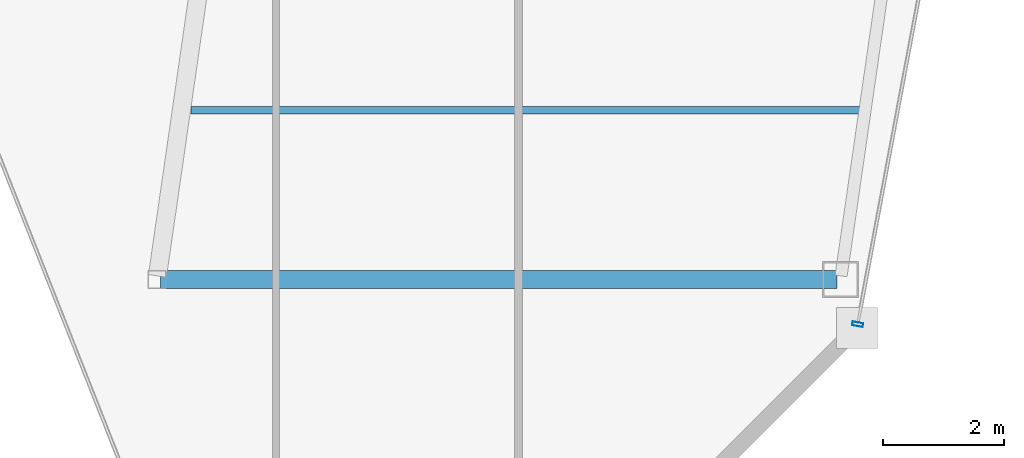
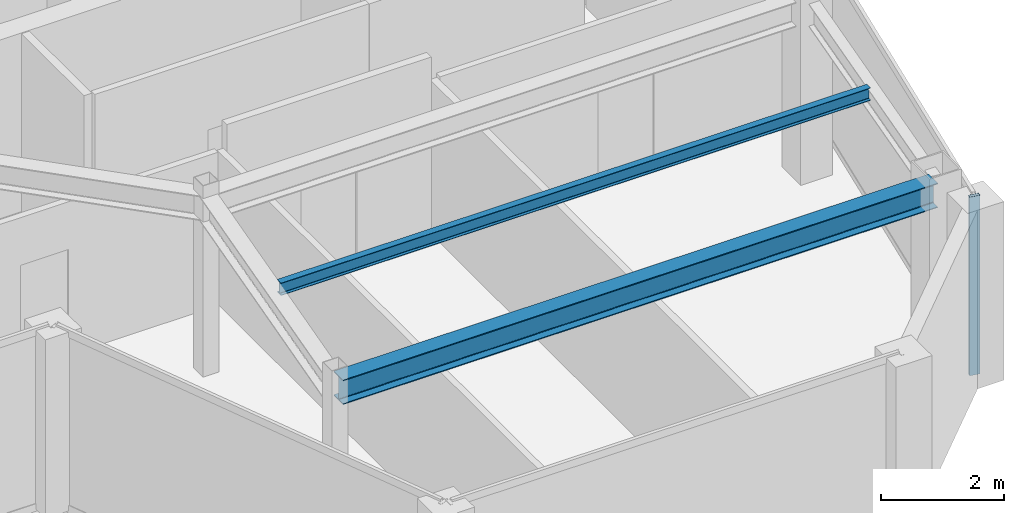
# One storey, part 12 of 23: 2 beams, 1 member, 1 element without a shape of its own.
"""IFC4 building model written with IfcOpenShell, lengths in metres."""

from ifc_helpers import new_model, si_unit, direction, frame, origin, origin_2d, place, context, subcontext, project, spatial, hollow_rectangle, i_section, extrude, material, material_profile, profile_set, type_object, element, aggregate, save


model = new_model("IFC4")

# Units and contexts
model_context = context("Model", 3, precision=1e-05, world=origin(), true_north=direction((0.0, 1.0)))
body_context = subcontext(model_context, "Body", "Model", "MODEL_VIEW")
ifc_project = project(units=[si_unit("LENGTHUNIT", "METRE"), si_unit("AREAUNIT", "SQUARE_METRE"), si_unit("VOLUMEUNIT", "CUBIC_METRE"), si_unit("PLANEANGLEUNIT", "RADIAN"), si_unit("MASSUNIT", "GRAM", prefix="KILO")], contexts=[model_context])

# Site, building, storey
site_placement = place(None, origin())
site = spatial("IfcSite", under=ifc_project, at=site_placement, CompositionType="ELEMENT")
building_placement = place(site_placement, origin())
building = spatial("IfcBuilding", under=site, at=building_placement, Name="Saevonmaru Cultural Tower", CompositionType="ELEMENT")
storey_placement = place(building_placement, frame((0.0, 0.0, 280.0)))
storey = spatial("IfcBuildingStorey", under=building, at=storey_placement, Name="L66", CompositionType="ELEMENT", Elevation=280.0)

# Beams
ifc_material_1 = material(Name="Steel SM355", Category="steel")
ifc_material_profile_1 = material_profile(ifc_material_1, i_section(OverallWidth=0.300048828125, OverallDepth=0.488037109375, WebThickness=0.010986328125, FlangeThickness=0.01806640625, FilletRadius=0.02197265625, at=origin_2d()), Name="H-488x300x11x18")
ifc_profile_set_1 = profile_set([ifc_material_profile_1], Name="Steel SM355")
beam_type_1 = type_object("IfcBeamType", Name="BM-G-H488", PredefinedType="BEAM", material=ifc_profile_set_1)
beam_1_placement = place(storey_placement, frame((40.443115234375, 32.0, 3.305908203125), z_axis=(1.0, 0.0, 0.0), x_axis=(0.0, 1.0, 0.0)))
element("IfcBeam", 1, at=beam_1_placement, inside=storey, type_object=beam_type_1, Name="L66 East Wing Transverse Girder 1", PredefinedType="BEAM", context=body_context, shape_type="SweptSolid", body=[
    extrude(i_section(OverallWidth=0.300048828125, OverallDepth=0.488037109375, WebThickness=0.010986328125, FlangeThickness=0.01806640625, FilletRadius=0.02197265625, at=origin_2d()), origin(), (0.0, 0.0, 1.0), 11.179931640625),
])
ifc_material_profile_2 = material_profile(ifc_material_1, i_section(OverallWidth=0.125, OverallDepth=0.25, WebThickness=0.006103515625, FlangeThickness=0.009033203125, FilletRadius=0.008056640625, at=origin_2d()), Name="H-250x125x6x9")
ifc_profile_set_2 = profile_set([ifc_material_profile_2], Name="Steel SM355")
beam_type_2 = type_object("IfcBeamType", Name="BM-J-H250", PredefinedType="JOIST", material=ifc_profile_set_2)
beam_2_placement = place(storey_placement, frame((40.945556640625, 34.800048828125, 3.425048828125), z_axis=(1.0, 0.0, 0.0), x_axis=(0.0, 1.0, 0.0)))
element("IfcBeam", 2, at=beam_2_placement, inside=storey, type_object=beam_type_2, Name="L66 East Wing Floor Joist 1", PredefinedType="JOIST", context=body_context, shape_type="SweptSolid", body=[
    extrude(i_section(OverallWidth=0.125, OverallDepth=0.25, WebThickness=0.006103515625, FlangeThickness=0.009033203125, FilletRadius=0.008056640625, at=origin_2d()), origin(), (0.0, 0.0, 1.0), 11.08203125),
])

# Curtain wall, member
ifc_material_2 = material(Name="Satin Bronze Anodised Aluminium", Category="aluminium")
curtain_wall_type = type_object("IfcCurtainWallType", Name="CW-TYP-B", PredefinedType="NOTDEFINED", material=ifc_material_2)
curtain_wall_placement = place(storey_placement, origin())
curtain_wall = element("IfcCurtainWall", 3, at=curtain_wall_placement, inside=storey, type_object=curtain_wall_type, Name="L66 Unitised Curtain Wall E8", PredefinedType="NOTDEFINED")
ifc_material_profile_3 = material_profile(ifc_material_2, hollow_rectangle(XDim=0.06494140625, YDim=0.179931640625, WallThickness=0.00390625, at=origin_2d()), Name="ALU-MULL-180x65x4")
ifc_profile_set_3 = profile_set([ifc_material_profile_3], Name="Satin Bronze Anodised Aluminium")
member_type = type_object("IfcMemberType", Name="ML-CW-180x65", PredefinedType="MULLION", material=ifc_profile_set_3)
member_placement = place(storey_placement, frame((51.966552734375, 31.259033203125, 0.0), z_axis=(0.0, 0.0, 1.0), x_axis=(0.184046528232, 0.982917532373, 0.0)))
member = element("IfcMember", 4, at=member_placement, type_object=member_type, Name="CW-TW-L66-E8 mullion 1", PredefinedType="MULLION", context=body_context, shape_type="SweptSolid", body=[
    extrude(hollow_rectangle(XDim=0.06494140625, YDim=0.179931640625, WallThickness=0.00390625, at=origin_2d()), origin(), (0.0, 0.0, 1.0), 3.550048828125),
])
aggregate(curtain_wall, [member])

save(model, "model.ifc")
